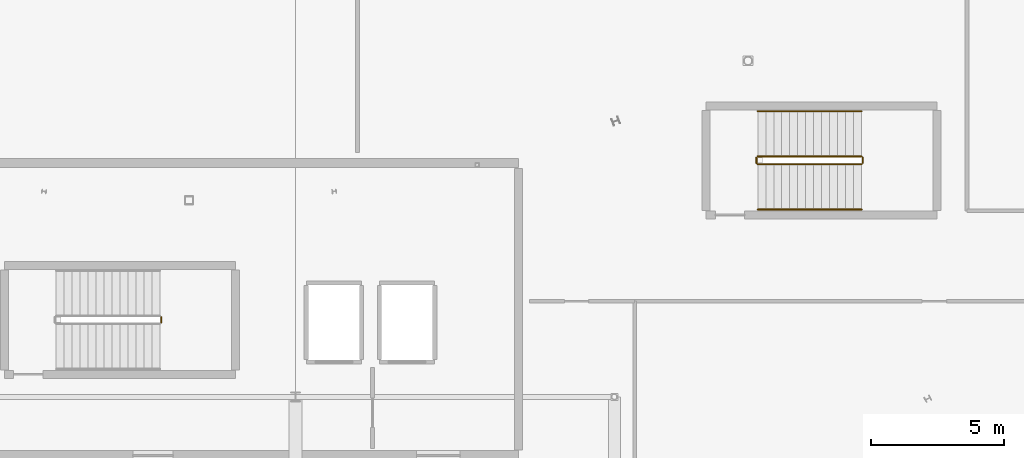
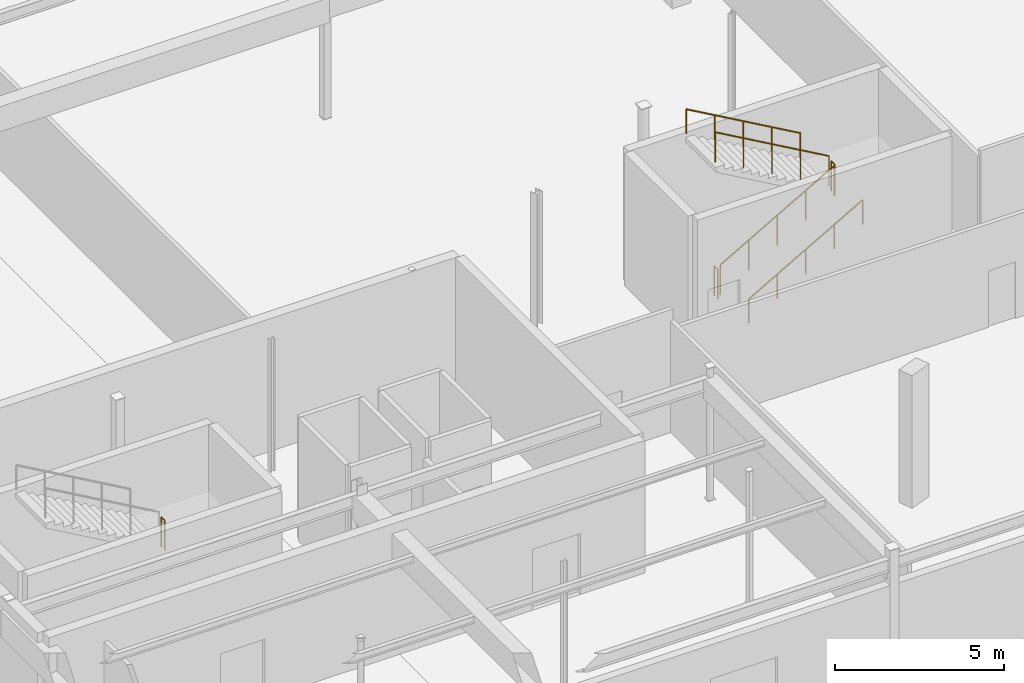
# One storey, part 181 of 199: 7 railings.
"""IFC4 building model written with IfcOpenShell, lengths in metres."""

from ifc_helpers import new_model, si_unit, direction, frame, origin, origin_2d, place, context, subcontext, project, spatial, circle, extrude, material, type_object, element, save


model = new_model("IFC4")

# Units and contexts
model_context = context("Model", 3, precision=1e-05, world=origin(), true_north=direction((0.0, 1.0)))
body_context = subcontext(model_context, "Body", "Model", "MODEL_VIEW")
ifc_project = project(units=[si_unit("LENGTHUNIT", "METRE"), si_unit("AREAUNIT", "SQUARE_METRE"), si_unit("VOLUMEUNIT", "CUBIC_METRE"), si_unit("PLANEANGLEUNIT", "RADIAN"), si_unit("MASSUNIT", "GRAM", prefix="KILO")], contexts=[model_context])

# Site, building, storey
site_placement = place(None, origin())
site = spatial("IfcSite", under=ifc_project, at=site_placement, CompositionType="ELEMENT")
building_placement = place(site_placement, origin())
building = spatial("IfcBuilding", under=site, at=building_placement, Name="Tarnwether General Hospital", CompositionType="ELEMENT")
storey_placement = place(building_placement, origin())
storey = spatial("IfcBuildingStorey", under=building, at=storey_placement, Name="L00", CompositionType="ELEMENT", Elevation=0.0)

# Railings
ifc_material_1 = material(Name="Anodised aluminium", Category="aluminium")
railing_type_1 = type_object("IfcRailingType", Name="RL-GRD-INT", PredefinedType="GUARDRAIL", material=ifc_material_1)
railing_1_placement = place(storey_placement, frame((90.949951171875, 13.60009765625, 2.39990234375)))
element("IfcRailing", 1, at=railing_1_placement, inside=storey, type_object=railing_type_1, Name="L00 ST-02 stair guard 2", PredefinedType="GUARDRAIL", context=body_context, shape_type="SweptSolid", body=[
    extrude(circle(Radius=0.02392578125, at=origin_2d()), frame((0.0, 0.0, 1.076171875), z_axis=(0.0, 1.0, 0.0), x_axis=(-1.0, 0.0, 0.0)), (0.0, 0.0, 1.0), 0.199951171875),
    extrude(circle(Radius=0.02099609375, at=origin_2d()), origin(), (0.0, 0.0, 1.0), 1.052001953125),
    extrude(circle(Radius=0.02099609375, at=origin_2d()), frame((0.0, 0.199951171875, 0.0)), (0.0, 0.0, 1.0), 1.052001953125),
])
railing_2_placement = place(storey_placement, frame((113.39990234375, 19.550048828125, 0.17138671875)))
element("IfcRailing", 2, at=railing_2_placement, inside=storey, type_object=railing_type_1, Name="L00 ST-10 stair guard 1", PredefinedType="GUARDRAIL", context=body_context, shape_type="SweptSolid", body=[
    extrude(circle(Radius=0.02392578125, at=origin_2d()), frame((0.0, 0.0, 1.076171875), z_axis=(0.868256520506, 0.0, 0.496115525457), x_axis=(0.0, 1.0, 0.0)), (0.0, 0.0, 1.0), 4.491943359375),
    extrude(circle(Radius=0.02099609375, at=origin_2d()), origin(), (0.0, 0.0, 1.0), 1.052001953125),
    extrude(circle(Radius=0.02099609375, at=origin_2d()), frame((0.97509765625, 0.0, 0.55712890625)), (0.0, 0.0, 1.0), 1.052001953125),
    extrude(circle(Radius=0.02099609375, at=origin_2d()), frame((1.9501953125, 0.0, 1.1142578125)), (0.0, 0.0, 1.0), 1.052001953125),
    extrude(circle(Radius=0.02099609375, at=origin_2d()), frame((2.925048828125, 0.0, 1.67138671875)), (0.0, 0.0, 1.0), 1.052001953125),
    extrude(circle(Radius=0.02099609375, at=origin_2d()), frame((3.900146484375, 0.0, 2.228515625)), (0.0, 0.0, 1.0), 1.052001953125),
])
railing_3_placement = place(storey_placement, frame((117.35009765625, 19.60009765625, 2.39990234375)))
element("IfcRailing", 3, at=railing_3_placement, inside=storey, type_object=railing_type_1, Name="L00 ST-10 stair guard 2", PredefinedType="GUARDRAIL", context=body_context, shape_type="SweptSolid", body=[
    extrude(circle(Radius=0.02392578125, at=origin_2d()), frame((0.0, 0.0, 1.076171875), z_axis=(0.0, 1.0, 0.0), x_axis=(-1.0, 0.0, 0.0)), (0.0, 0.0, 1.0), 0.199951171875),
    extrude(circle(Radius=0.02099609375, at=origin_2d()), origin(), (0.0, 0.0, 1.0), 1.052001953125),
    extrude(circle(Radius=0.02099609375, at=origin_2d()), frame((0.0, 0.199951171875, 0.0)), (0.0, 0.0, 1.0), 1.052001953125),
])
railing_4_placement = place(storey_placement, frame((117.300048828125, 19.85009765625, 2.571533203125)))
element("IfcRailing", 4, at=railing_4_placement, inside=storey, type_object=railing_type_1, Name="L00 ST-10 stair guard 3", PredefinedType="GUARDRAIL", context=body_context, shape_type="SweptSolid", body=[
    extrude(circle(Radius=0.02392578125, at=origin_2d()), frame((0.0, 0.0, 1.076171875), z_axis=(-0.868256520506, 0.0, 0.496115525457), x_axis=(0.0, -1.0, 0.0)), (0.0, 0.0, 1.0), 4.491943359375),
    extrude(circle(Radius=0.02099609375, at=origin_2d()), origin(), (0.0, 0.0, 1.0), 1.052001953125),
    extrude(circle(Radius=0.02099609375, at=origin_2d()), frame((-0.97509765625, 0.0, 0.55712890625)), (0.0, 0.0, 1.0), 1.052001953125),
    extrude(circle(Radius=0.02099609375, at=origin_2d()), frame((-1.9501953125, 0.0, 1.1142578125)), (0.0, 0.0, 1.0), 1.052001953125),
    extrude(circle(Radius=0.02099609375, at=origin_2d()), frame((-2.925048828125, 0.0, 1.67138671875)), (0.0, 0.0, 1.0), 1.052001953125),
    extrude(circle(Radius=0.02099609375, at=origin_2d()), frame((-3.900146484375, 0.0, 2.228515625)), (0.0, 0.0, 1.0), 1.052001953125),
])
railing_5_placement = place(storey_placement, frame((113.35009765625, 19.60009765625, 0.0)))
element("IfcRailing", 5, at=railing_5_placement, inside=storey, type_object=railing_type_1, Name="L00 ST-10 stair guard 4", PredefinedType="GUARDRAIL", context=body_context, shape_type="SweptSolid", body=[
    extrude(circle(Radius=0.02392578125, at=origin_2d()), frame((0.0, 0.0, 1.076171875), z_axis=(0.0, 1.0, 0.0), x_axis=(-1.0, 0.0, 0.0)), (0.0, 0.0, 1.0), 0.199951171875),
    extrude(circle(Radius=0.02099609375, at=origin_2d()), origin(), (0.0, 0.0, 1.0), 1.052001953125),
    extrude(circle(Radius=0.02099609375, at=origin_2d()), frame((0.0, 0.199951171875, 0.0)), (0.0, 0.0, 1.0), 1.052001953125),
])
ifc_material_2 = material(Name="Anodised aluminium", Category="aluminium")
railing_type_2 = type_object("IfcRailingType", Name="RL-HND-INT", PredefinedType="HANDRAIL", material=ifc_material_2)
railing_6_placement = place(storey_placement, frame((113.39990234375, 17.85009765625, 0.17138671875)))
element("IfcRailing", 6, at=railing_6_placement, inside=storey, type_object=railing_type_2, Name="L00 ST-10 stair handrail 1", PredefinedType="HANDRAIL", context=body_context, shape_type="SweptSolid", body=[
    extrude(circle(Radius=0.02392578125, at=origin_2d()), frame((0.0, 0.0, 0.8759765625), z_axis=(0.868256520506, 0.0, 0.496115525457), x_axis=(0.0, 1.0, 0.0)), (0.0, 0.0, 1.0), 4.491943359375),
    extrude(circle(Radius=0.02099609375, at=origin_2d()), origin(), (0.0, 0.0, 1.0), 0.851806640625),
    extrude(circle(Radius=0.02099609375, at=origin_2d()), frame((0.97509765625, 0.0, 0.55712890625)), (0.0, 0.0, 1.0), 0.851806640625),
    extrude(circle(Radius=0.02099609375, at=origin_2d()), frame((1.9501953125, 0.0, 1.1142578125)), (0.0, 0.0, 1.0), 0.851806640625),
    extrude(circle(Radius=0.02099609375, at=origin_2d()), frame((2.925048828125, 0.0, 1.67138671875)), (0.0, 0.0, 1.0), 0.851806640625),
    extrude(circle(Radius=0.02099609375, at=origin_2d()), frame((3.900146484375, 0.0, 2.228515625)), (0.0, 0.0, 1.0), 0.851806640625),
])
railing_7_placement = place(storey_placement, frame((117.300048828125, 21.550048828125, 2.571533203125)))
element("IfcRailing", 7, at=railing_7_placement, inside=storey, type_object=railing_type_2, Name="L00 ST-10 stair handrail 2", PredefinedType="HANDRAIL", context=body_context, shape_type="SweptSolid", body=[
    extrude(circle(Radius=0.02392578125, at=origin_2d()), frame((0.0, 0.0, 0.8759765625), z_axis=(-0.868256520506, 0.0, 0.496115525457), x_axis=(0.0, -1.0, 0.0)), (0.0, 0.0, 1.0), 4.491943359375),
    extrude(circle(Radius=0.02099609375, at=origin_2d()), origin(), (0.0, 0.0, 1.0), 0.851806640625),
    extrude(circle(Radius=0.02099609375, at=origin_2d()), frame((-0.97509765625, 0.0, 0.55712890625)), (0.0, 0.0, 1.0), 0.851806640625),
    extrude(circle(Radius=0.02099609375, at=origin_2d()), frame((-1.9501953125, 0.0, 1.1142578125)), (0.0, 0.0, 1.0), 0.851806640625),
    extrude(circle(Radius=0.02099609375, at=origin_2d()), frame((-2.925048828125, 0.0, 1.67138671875)), (0.0, 0.0, 1.0), 0.851806640625),
    extrude(circle(Radius=0.02099609375, at=origin_2d()), frame((-3.900146484375, 0.0, 2.228515625)), (0.0, 0.0, 1.0), 0.851806640625),
])

save(model, "model.ifc")
